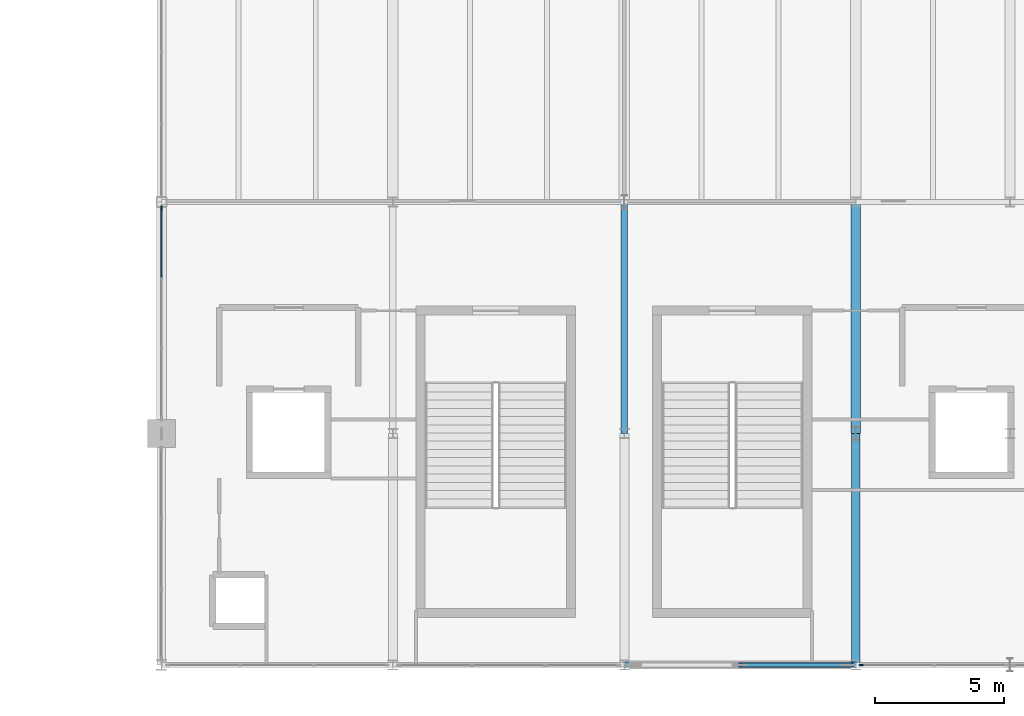
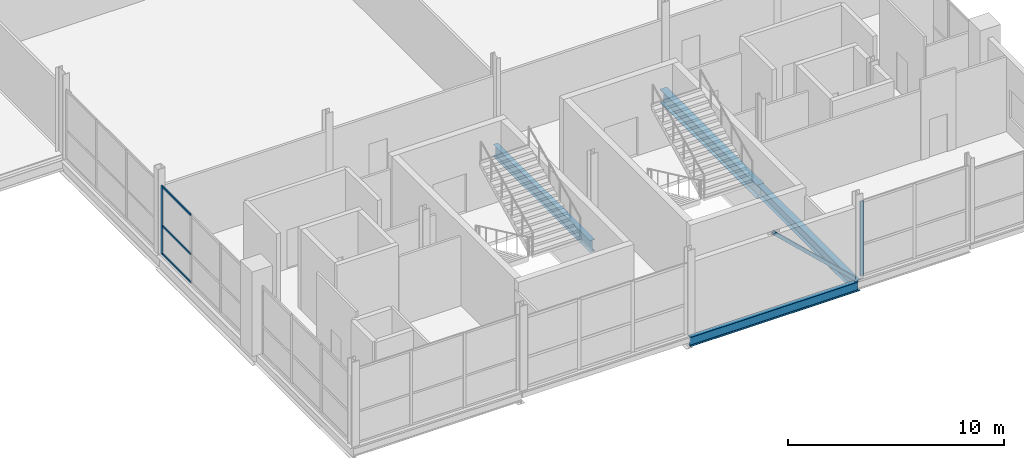
# One storey, part 9 of 50: 6 members, 4 beams, 2 elements without a shape of their own.
"""IFC4 building model written with IfcOpenShell, lengths in metres."""

from ifc_helpers import new_model, si_unit, direction, frame, origin, origin_2d, place, context, subcontext, project, spatial, rectangle, hollow_rectangle, i_section, extrude, material, layer, layer_set, material_profile, profile_set, type_object, element, aggregate, save


model = new_model("IFC4")

# Units and contexts
model_context = context("Model", 3, precision=1e-05, world=origin(), true_north=direction((0.0, 1.0)))
body_context = subcontext(model_context, "Body", "Model", "MODEL_VIEW")
ifc_project = project(units=[si_unit("LENGTHUNIT", "METRE"), si_unit("AREAUNIT", "SQUARE_METRE"), si_unit("VOLUMEUNIT", "CUBIC_METRE"), si_unit("PLANEANGLEUNIT", "RADIAN"), si_unit("MASSUNIT", "GRAM", prefix="KILO")], contexts=[model_context])

# Site, building, storey
site_placement = place(None, origin())
site = spatial("IfcSite", under=ifc_project, at=site_placement, CompositionType="ELEMENT")
building_placement = place(site_placement, origin())
building = spatial("IfcBuilding", under=site, at=building_placement, Name="Qamarlyn Nura Convention Centre", CompositionType="ELEMENT")
storey_placement = place(building_placement, frame((0.0, 0.0, 20.39990234375)))
storey = spatial("IfcBuildingStorey", under=building, at=storey_placement, Name="L04", CompositionType="ELEMENT", Elevation=20.39990234375)

# Beams
ifc_material_1 = material(Name="Steel ASTM A992", Category="steel")
ifc_material_profile_1 = material_profile(ifc_material_1, i_section(OverallWidth=0.323974609375, OverallDepth=0.611083984375, WebThickness=0.0126953125, FlangeThickness=0.01904296875, FilletRadius=0.01611328125, at=origin_2d()), Name="W610X155")
ifc_profile_set_1 = profile_set([ifc_material_profile_1], Name="Steel ASTM A992")
beam_type_1 = type_object("IfcBeamType", Name="BM-GIRD-610", PredefinedType="BEAM", material=ifc_profile_set_1)
beam_1_placement = place(storey_placement, frame((180.0, 0.0, -0.50537109375), z_axis=(0.0, 1.0, 0.0), x_axis=(-1.0, 0.0, 0.0)))
element("IfcBeam", 1, at=beam_1_placement, inside=storey, type_object=beam_type_1, Name="L04 girder 16 A-B", PredefinedType="BEAM", context=body_context, shape_type="SweptSolid", body=[
    extrude(i_section(OverallWidth=0.323974609375, OverallDepth=0.611083984375, WebThickness=0.0126953125, FlangeThickness=0.01904296875, FilletRadius=0.01611328125, at=origin_2d()), origin(), (0.0, 0.0, 1.0), 9.0),
])
ifc_material_profile_2 = material_profile(ifc_material_1, i_section(OverallWidth=0.25390625, OverallDepth=0.68408203125, WebThickness=0.012451171875, FlangeThickness=0.01904296875, FilletRadius=0.01806640625, at=origin_2d()), Name="W690X140")
ifc_profile_set_2 = profile_set([ifc_material_profile_2], Name="Steel ASTM A992")
beam_type_2 = type_object("IfcBeamType", Name="BM-GIRD-690B", PredefinedType="BEAM", material=ifc_profile_set_2)
beam_2_placement = place(storey_placement, frame((171.0, 9.0, -0.5419921875), z_axis=(0.0, 1.0, 0.0), x_axis=(-1.0, 0.0, 0.0)))
element("IfcBeam", 2, at=beam_2_placement, inside=storey, type_object=beam_type_2, Name="L04 girder 15 B-C", PredefinedType="BEAM", context=body_context, shape_type="SweptSolid", body=[
    extrude(i_section(OverallWidth=0.25390625, OverallDepth=0.68408203125, WebThickness=0.012451171875, FlangeThickness=0.01904296875, FilletRadius=0.01806640625, at=origin_2d()), origin(), (0.0, 0.0, 1.0), 9.0),
])
ifc_material_profile_3 = material_profile(ifc_material_1, i_section(OverallWidth=0.381103515625, OverallDepth=0.77294921875, WebThickness=0.0166015625, FlangeThickness=0.027587890625, FilletRadius=0.02001953125, at=origin_2d()), Name="W760X257")
ifc_profile_set_3 = profile_set([ifc_material_profile_3], Name="Steel ASTM A992")
beam_type_3 = type_object("IfcBeamType", Name="BM-GIRD-760", PredefinedType="BEAM", material=ifc_profile_set_3)
beam_3_placement = place(storey_placement, frame((180.0, 9.0, -0.58642578125), z_axis=(0.0, 1.0, 0.0), x_axis=(-1.0, 0.0, 0.0)))
element("IfcBeam", 3, at=beam_3_placement, inside=storey, type_object=beam_type_3, Name="L04 girder 16 B-C", PredefinedType="BEAM", context=body_context, shape_type="SweptSolid", body=[
    extrude(i_section(OverallWidth=0.381103515625, OverallDepth=0.77294921875, WebThickness=0.0166015625, FlangeThickness=0.027587890625, FilletRadius=0.02001953125, at=origin_2d()), origin(), (0.0, 0.0, 1.0), 9.0),
])
ifc_material_profile_4 = material_profile(ifc_material_1, i_section(OverallWidth=0.2109375, OverallDepth=0.5390625, WebThickness=0.01171875, FlangeThickness=0.018798828125, FilletRadius=0.013916015625, at=origin_2d()), Name="W530X109")
ifc_profile_set_4 = profile_set([ifc_material_profile_4], Name="Steel ASTM A992")
beam_type_4 = type_object("IfcBeamType", Name="BM-SPAN-530", PredefinedType="SPANDREL", material=ifc_profile_set_4)
beam_4_placement = place(storey_placement, frame((171.0, 0.0, -0.469482421875), z_axis=(1.0, 0.0, 0.0), x_axis=(0.0, 1.0, 0.0)))
element("IfcBeam", 4, at=beam_4_placement, inside=storey, type_object=beam_type_4, Name="L04 girder A 15-16", PredefinedType="SPANDREL", context=body_context, shape_type="SweptSolid", body=[
    extrude(i_section(OverallWidth=0.2109375, OverallDepth=0.5390625, WebThickness=0.01171875, FlangeThickness=0.018798828125, FilletRadius=0.013916015625, at=origin_2d()), origin(), (0.0, 0.0, 1.0), 9.0),
])

# Member
ifc_material_2 = material(Name="Steel ASTM A500 Grade C", Category="steel")
ifc_material_profile_5 = material_profile(ifc_material_2, hollow_rectangle(XDim=0.179931640625, YDim=0.179931640625, WallThickness=0.008056640625, InnerFilletRadius=0.008056640625, OuterFilletRadius=0.01611328125, at=origin_2d()), Name="HSS180X180X8")
ifc_profile_set_5 = profile_set([ifc_material_profile_5], Name="Steel ASTM A500 Grade C")
member_type_1 = type_object("IfcMemberType", Name="CBF-BRC-180", PredefinedType="BRACE", material=ifc_profile_set_5)
member_1_placement = place(storey_placement, frame((179.820068359375, 0.0, 0.0), z_axis=(-0.725843807895, 0.0, 0.687859554371), x_axis=(0.0, -1.0, 0.0)))
element("IfcMember", 5, at=member_1_placement, inside=storey, type_object=member_type_1, Name="L04 SCBF chevron brace CBF-E1R", PredefinedType="BRACE", context=body_context, shape_type="SweptSolid", body=[
    extrude(hollow_rectangle(XDim=0.179931640625, YDim=0.179931640625, WallThickness=0.008056640625, InnerFilletRadius=0.008056640625, OuterFilletRadius=0.01611328125, at=origin_2d()), origin(), (0.0, 0.0, 1.0), 5.951904296875),
])

# Curtain wall, member
ifc_material_3 = material(Name="Double-silver low-E insulated glass", Category="glass")
ifc_layer_1 = layer(ifc_material_3, 0.179931640625, Name="CW-UNIT-143")
ifc_layer_set_1 = layer_set([ifc_layer_1], Name="Double-silver low-E insulated glass")
curtain_wall_type_1 = type_object("IfcCurtainWallType", Name="CW-UNIT-143", PredefinedType="NOTDEFINED", material=ifc_layer_set_1)
curtain_wall_1_placement = place(storey_placement, origin())
curtain_wall_1 = element("IfcCurtainWall", 6, at=curtain_wall_1_placement, inside=storey, type_object=curtain_wall_type_1, Name="L04 unitised curtain wall STH-4-1", PredefinedType="NOTDEFINED")
ifc_material_4 = material(Name="Champagne-anodised marine aluminium", Category="aluminium")
ifc_material_profile_6 = material_profile(ifc_material_4, rectangle(XDim=0.06494140625, YDim=0.159912109375, at=origin_2d()), Name="ALU MULLION 65x160")
ifc_profile_set_6 = profile_set([ifc_material_profile_6], Name="Champagne-anodised marine aluminium")
member_type_2 = type_object("IfcMemberType", Name="CWM-160", PredefinedType="MULLION", material=ifc_profile_set_6)
member_2_placement = place(storey_placement, frame((180.217041015625, 0.0, 0.0), z_axis=(0.0, 0.0, 1.0), x_axis=(0.0, -1.0, 0.0)))
member_2 = element("IfcMember", 7, at=member_2_placement, type_object=member_type_2, Name="CW143 mullion 3", PredefinedType="MULLION", context=body_context, shape_type="SweptSolid", body=[
    extrude(rectangle(XDim=0.06494140625, YDim=0.159912109375, at=origin_2d()), origin(), (0.0, 0.0, 1.0), 4.2451171875),
])
aggregate(curtain_wall_1, [member_2])

# Curtain wall, members
ifc_layer_2 = layer(ifc_material_3, 0.179931640625, Name="CW-UNIT-145")
ifc_layer_set_2 = layer_set([ifc_layer_2], Name="Double-silver low-E insulated glass")
curtain_wall_type_2 = type_object("IfcCurtainWallType", Name="CW-UNIT-145", PredefinedType="NOTDEFINED", material=ifc_layer_set_2)
curtain_wall_2_placement = place(storey_placement, origin())
curtain_wall_2 = element("IfcCurtainWall", 8, at=curtain_wall_2_placement, inside=storey, type_object=curtain_wall_type_2, Name="L04 unitised curtain wall FCW-9-1", PredefinedType="NOTDEFINED")
member_3_placement = place(storey_placement, frame((153.0, 17.767578125, 0.0), z_axis=(0.0, 0.0, 1.0), x_axis=(-1.0, 0.0, 0.0)))
member_3 = element("IfcMember", 9, at=member_3_placement, type_object=member_type_2, Name="CW145 mullion 4", PredefinedType="MULLION", context=body_context, shape_type="SweptSolid", body=[
    extrude(rectangle(XDim=0.06494140625, YDim=0.159912109375, at=origin_2d()), origin(), (0.0, 0.0, 1.0), 3.861083984375),
])
ifc_material_profile_7 = material_profile(ifc_material_4, rectangle(XDim=0.06494140625, YDim=0.1201171875, at=origin_2d()), Name="ALU TRANSOM 65x120")
ifc_profile_set_7 = profile_set([ifc_material_profile_7], Name="Champagne-anodised marine aluminium")
member_type_3 = type_object("IfcMemberType", Name="CWT-120", PredefinedType="USERDEFINED", material=ifc_profile_set_7)
member_4_placement = place(storey_placement, frame((153.0, 15.08251953125, 0.03271484375), z_axis=(0.0, 1.0, 0.0), x_axis=(-1.0, 0.0, 0.0)))
member_4 = element("IfcMember", 10, at=member_4_placement, type_object=member_type_3, Name="CW145 transom 3.1", ObjectType="TRANSOM", PredefinedType="USERDEFINED", context=body_context, shape_type="SweptSolid", body=[
    extrude(rectangle(XDim=0.06494140625, YDim=0.1201171875, at=origin_2d()), origin(), (0.0, 0.0, 1.0), 2.652587890625),
])
member_5_placement = place(storey_placement, frame((153.0, 15.08251953125, 1.6220703125), z_axis=(0.0, 1.0, 0.0), x_axis=(-1.0, 0.0, 0.0)))
member_5 = element("IfcMember", 11, at=member_5_placement, type_object=member_type_3, Name="CW145 transom 3.2", ObjectType="TRANSOM", PredefinedType="USERDEFINED", context=body_context, shape_type="SweptSolid", body=[
    extrude(rectangle(XDim=0.06494140625, YDim=0.1201171875, at=origin_2d()), origin(), (0.0, 0.0, 1.0), 2.652587890625),
])
member_6_placement = place(storey_placement, frame((153.0, 15.08251953125, 3.82861328125), z_axis=(0.0, 1.0, 0.0), x_axis=(-1.0, 0.0, 0.0)))
member_6 = element("IfcMember", 12, at=member_6_placement, type_object=member_type_3, Name="CW145 transom 3.3", ObjectType="TRANSOM", PredefinedType="USERDEFINED", context=body_context, shape_type="SweptSolid", body=[
    extrude(rectangle(XDim=0.06494140625, YDim=0.1201171875, at=origin_2d()), origin(), (0.0, 0.0, 1.0), 2.652587890625),
])
aggregate(curtain_wall_2, [member_3, member_4, member_5, member_6])

save(model, "model.ifc")
